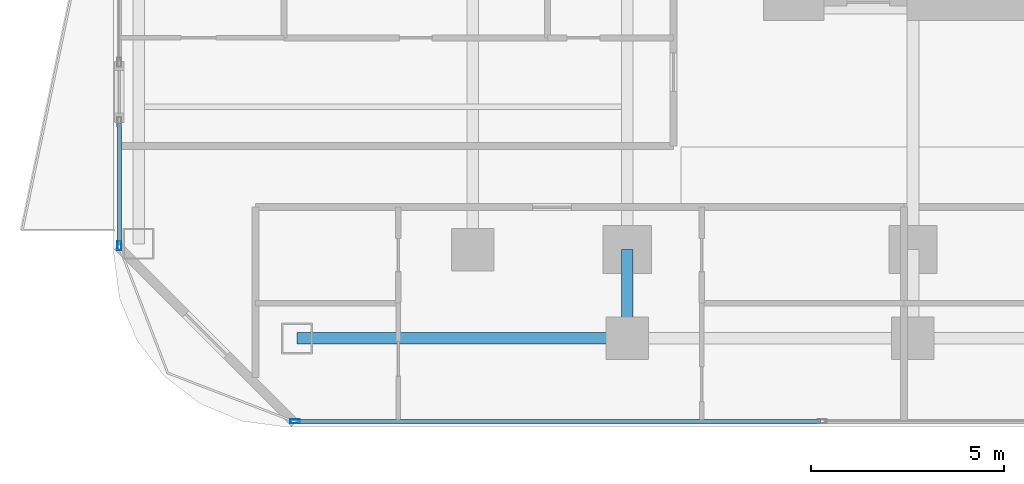
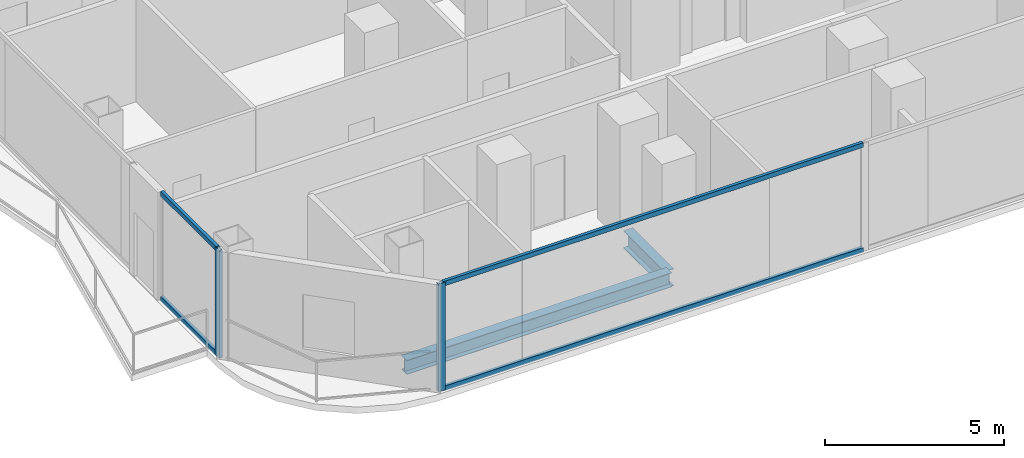
# One storey, part 2 of 28: 6 members, 2 beams, 2 elements without a shape of their own.
"""IFC4 building model written with IfcOpenShell, lengths in metres."""

from ifc_helpers import new_model, si_unit, direction, frame, origin, origin_2d, place, context, subcontext, project, spatial, hollow_rectangle, i_section, extrude, material, layer, layer_set, material_profile, profile_set, type_object, element, aggregate, save


model = new_model("IFC4")

# Units and contexts
model_context = context("Model", 3, precision=1e-05, world=origin(), true_north=direction((0.0, 1.0)))
body_context = subcontext(model_context, "Body", "Model", "MODEL_VIEW")
ifc_project = project(units=[si_unit("LENGTHUNIT", "METRE"), si_unit("AREAUNIT", "SQUARE_METRE"), si_unit("VOLUMEUNIT", "CUBIC_METRE"), si_unit("PLANEANGLEUNIT", "RADIAN"), si_unit("MASSUNIT", "GRAM", prefix="KILO")], contexts=[model_context])

# Site, building, storey
site_placement = place(None, origin())
site = spatial("IfcSite", under=ifc_project, at=site_placement, CompositionType="ELEMENT")
building_placement = place(site_placement, origin())
building = spatial("IfcBuilding", under=site, at=building_placement, Name="Khorvyn Point Tower", CompositionType="ELEMENT")
storey_placement = place(building_placement, frame((0.0, 0.0, 89.10009765625)))
storey = spatial("IfcBuildingStorey", under=building, at=storey_placement, Name="L22", CompositionType="ELEMENT", Elevation=89.10009765625)

# Curtain wall, member
ifc_material_1 = material(Name="Anodised aluminium 6063-T6 and laminated Low-E glass", Category="aluminium")
ifc_layer = layer(ifc_material_1, 0.18994140625)
ifc_layer_set = layer_set([ifc_layer], Name="Stick-Built Finned Residential Curtain Wall CW-SYS-02")
curtain_wall_type = type_object("IfcCurtainWallType", Name="Stick-Built Finned Residential Curtain Wall CW-SYS-02", PredefinedType="NOTDEFINED", material=ifc_layer_set)
curtain_wall_1_placement = place(storey_placement, origin())
curtain_wall_1 = element("IfcCurtainWall", 1, at=curtain_wall_1_placement, inside=storey, type_object=curtain_wall_type, Name="Curtain Wall", PredefinedType="NOTDEFINED")
ifc_material_2 = material(Name="Anodised aluminium 6063-T6", Category="aluminium")
ifc_material_profile_1 = material_profile(ifc_material_2, hollow_rectangle(XDim=0.10009765625, YDim=0.239990234375, WallThickness=0.0048828125, at=origin_2d()))
ifc_profile_set_1 = profile_set([ifc_material_profile_1], Name="Anodised aluminium 6063-T6 ALU-MUL-100x240")
member_type_1 = type_object("IfcMemberType", Name="Anodised Aluminium 6063-T6 Mullion ALU-MUL-100x240", PredefinedType="MULLION", material=ifc_profile_set_1)
member_1_placement = place(storey_placement, frame((-23.39990234375, -19.25, 0.0), z_axis=(0.0, 0.0, 1.0), x_axis=(0.0, -1.0, 0.0)))
member_1 = element("IfcMember", 2, at=member_1_placement, type_object=member_type_1, Name="Transom", PredefinedType="MULLION", context=body_context, shape_type="SweptSolid", body=[
    extrude(hollow_rectangle(XDim=0.10009765625, YDim=0.239990234375, WallThickness=0.0048828125, at=origin_2d()), origin(), (0.0, 0.0, 1.0), 3.679931640625),
])

curtain_wall_2_placement = place(storey_placement, origin())
curtain_wall_2 = element("IfcCurtainWall", 3, at=curtain_wall_2_placement, inside=storey, type_object=curtain_wall_type, Name="Curtain Wall", PredefinedType="NOTDEFINED")
member_2_placement = place(storey_placement, frame((-27.949951171875, -14.699951171875, 0.0), z_axis=(0.0, 0.0, 1.0), x_axis=(-1.0, 0.0, 0.0)))
member_2 = element("IfcMember", 4, at=member_2_placement, type_object=member_type_1, Name="Transom", PredefinedType="MULLION", context=body_context, shape_type="SweptSolid", body=[
    extrude(hollow_rectangle(XDim=0.10009765625, YDim=0.239990234375, WallThickness=0.0048828125, at=origin_2d()), origin(), (0.0, 0.0, 1.0), 3.679931640625),
])

# Member
ifc_material_profile_2 = material_profile(ifc_material_2, hollow_rectangle(XDim=0.10009765625, YDim=0.159912109375, WallThickness=0.00439453125, at=origin_2d()))
ifc_profile_set_2 = profile_set([ifc_material_profile_2], Name="Anodised aluminium 6063-T6 ALU-TRN-100x160")
member_type_2 = type_object("IfcMemberType", Name="Anodised Aluminium 6063-T6 Transom ALU-TRN-100x160", PredefinedType="USERDEFINED", material=ifc_profile_set_2)
member_3_placement = place(storey_placement, frame((-9.800048828125, -19.25, 0.0498046875), z_axis=(-1.0, 0.0, 0.0), x_axis=(0.0, -1.0, 0.0)))
member_3 = element("IfcMember", 5, at=member_3_placement, type_object=member_type_2, Name="Transom", ObjectType="TRANSOM", PredefinedType="USERDEFINED", context=body_context, shape_type="SweptSolid", body=[
    extrude(hollow_rectangle(XDim=0.10009765625, YDim=0.159912109375, WallThickness=0.00439453125, at=origin_2d()), origin(), (0.0, 0.0, 1.0), 13.550048828125),
])

member_4_placement = place(storey_placement, frame((-9.800048828125, -19.25, 3.6298828125), z_axis=(-1.0, 0.0, 0.0), x_axis=(0.0, -1.0, 0.0)))
member_4 = element("IfcMember", 6, at=member_4_placement, type_object=member_type_2, Name="Transom", ObjectType="TRANSOM", PredefinedType="USERDEFINED", context=body_context, shape_type="SweptSolid", body=[
    extrude(hollow_rectangle(XDim=0.10009765625, YDim=0.159912109375, WallThickness=0.00439453125, at=origin_2d()), origin(), (0.0, 0.0, 1.0), 13.550048828125),
])

aggregate(curtain_wall_1, [member_1, member_3, member_4])

member_5_placement = place(storey_placement, frame((-27.949951171875, -14.64990234375, 0.0498046875), z_axis=(0.0, 1.0, 0.0), x_axis=(-1.0, 0.0, 0.0)))
member_5 = element("IfcMember", 7, at=member_5_placement, type_object=member_type_2, Name="Transom", ObjectType="TRANSOM", PredefinedType="USERDEFINED", context=body_context, shape_type="SweptSolid", body=[
    extrude(hollow_rectangle(XDim=0.10009765625, YDim=0.159912109375, WallThickness=0.00439453125, at=origin_2d()), origin(), (0.0, 0.0, 1.0), 3.10986328125),
])

member_6_placement = place(storey_placement, frame((-27.949951171875, -14.64990234375, 3.6298828125), z_axis=(0.0, 1.0, 0.0), x_axis=(-1.0, 0.0, 0.0)))
member_6 = element("IfcMember", 8, at=member_6_placement, type_object=member_type_2, Name="Transom", ObjectType="TRANSOM", PredefinedType="USERDEFINED", context=body_context, shape_type="SweptSolid", body=[
    extrude(hollow_rectangle(XDim=0.10009765625, YDim=0.159912109375, WallThickness=0.00439453125, at=origin_2d()), origin(), (0.0, 0.0, 1.0), 3.10986328125),
])

aggregate(curtain_wall_2, [member_2, member_5, member_6])

# Beams
ifc_material_3 = material(Name="Steel S355", Category="steel")
ifc_material_profile_3 = material_profile(ifc_material_3, i_section(OverallWidth=0.300048828125, OverallDepth=0.587890625, WebThickness=0.011962890625, FlangeThickness=0.02001953125, at=origin_2d()))
ifc_profile_set_3 = profile_set([ifc_material_profile_3], Name="Steel S355 H588x300x12x20")
beam_type_1 = type_object("IfcBeamType", Name="Steel S355 Beam H588x300x12x20", PredefinedType="BEAM", material=ifc_profile_set_3)
beam_1_placement = place(storey_placement, frame((-14.800048828125, -17.10009765625, -0.51416015625), z_axis=(0.0, 1.0, 0.0), x_axis=(-1.0, 0.0, 0.0)))
element("IfcBeam", 9, at=beam_1_placement, inside=storey, type_object=beam_type_1, Name="Beam", PredefinedType="BEAM", context=body_context, shape_type="SweptSolid", body=[
    extrude(i_section(OverallWidth=0.300048828125, OverallDepth=0.587890625, WebThickness=0.011962890625, FlangeThickness=0.02001953125, at=origin_2d()), origin(), (0.0, 0.0, 1.0), 2.300048828125),
])
ifc_material_profile_4 = material_profile(ifc_material_3, i_section(OverallWidth=0.300048828125, OverallDepth=0.488037109375, WebThickness=0.010986328125, FlangeThickness=0.01806640625, at=origin_2d()))
ifc_profile_set_4 = profile_set([ifc_material_profile_4], Name="Steel S355 H488x300x11x18")
beam_type_2 = type_object("IfcBeamType", Name="Steel S355 Spandrel H488x300x11x18", PredefinedType="SPANDREL", material=ifc_profile_set_4)
beam_2_placement = place(storey_placement, frame((-23.35009765625, -17.10009765625, -0.464111328125), z_axis=(1.0, 0.0, 0.0), x_axis=(0.0, 1.0, 0.0)))
element("IfcBeam", 10, at=beam_2_placement, inside=storey, type_object=beam_type_2, Name="Beam", PredefinedType="SPANDREL", context=body_context, shape_type="SweptSolid", body=[
    extrude(i_section(OverallWidth=0.300048828125, OverallDepth=0.488037109375, WebThickness=0.010986328125, FlangeThickness=0.01806640625, at=origin_2d()), origin(), (0.0, 0.0, 1.0), 8.550048828125),
])

save(model, "model.ifc")
